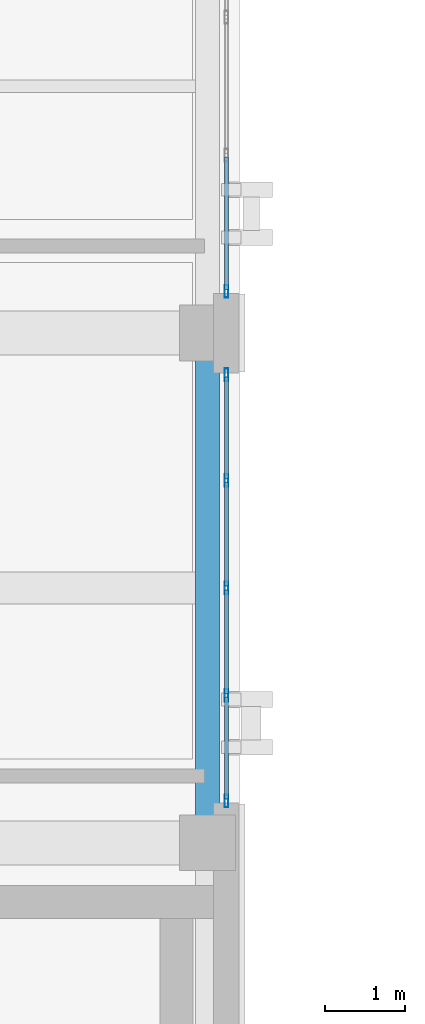
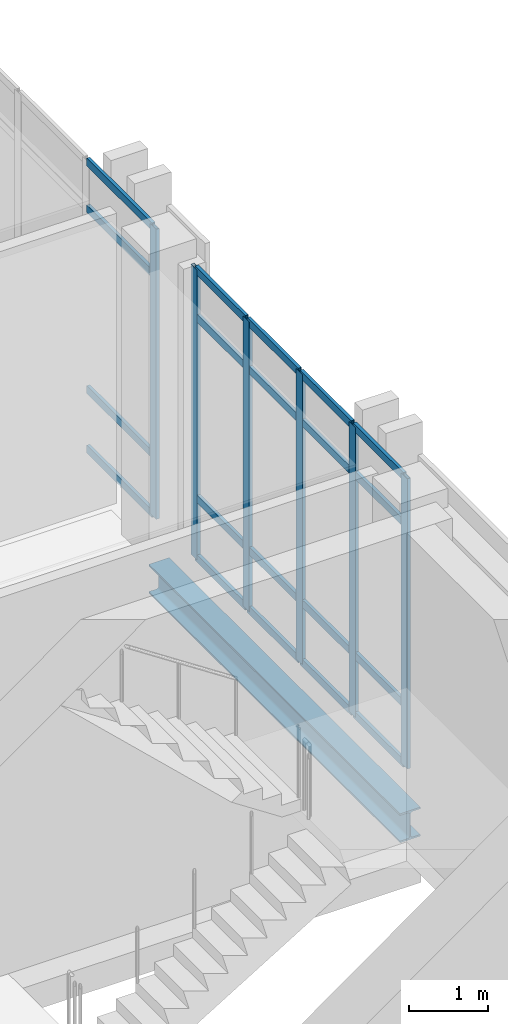
# One storey, part 107 of 189: 26 members, 1 beam, 2 elements without a shape of their own.
"""IFC4 building model written with IfcOpenShell, lengths in metres."""

from ifc_helpers import new_model, si_unit, direction, frame, origin, origin_2d, place, context, subcontext, project, spatial, hollow_rectangle, i_section, extrude, material, layer, layer_set, material_profile, profile_set, type_object, element, aggregate, save


model = new_model("IFC4")

# Units and contexts
model_context = context("Model", 3, precision=1e-05, world=origin(), true_north=direction((0.0, 1.0)))
body_context = subcontext(model_context, "Body", "Model", "MODEL_VIEW")
ifc_project = project(units=[si_unit("LENGTHUNIT", "METRE"), si_unit("AREAUNIT", "SQUARE_METRE"), si_unit("VOLUMEUNIT", "CUBIC_METRE"), si_unit("PLANEANGLEUNIT", "RADIAN"), si_unit("MASSUNIT", "GRAM", prefix="KILO")], contexts=[model_context])

# Site, building, storey
site_placement = place(None, origin())
site = spatial("IfcSite", under=ifc_project, at=site_placement, CompositionType="ELEMENT")
building_placement = place(site_placement, origin())
building = spatial("IfcBuilding", under=site, at=building_placement, Name="Qalavern Law Courts", CompositionType="ELEMENT")
storey_placement = place(building_placement, frame((0.0, 0.0, 5.39990234375)))
storey = spatial("IfcBuildingStorey", under=building, at=storey_placement, Name="L01", CompositionType="ELEMENT", Elevation=5.39990234375)

# Curtain wall, members
ifc_material_1 = material(Name="Anodised aluminium and insulated glazing", Category="aluminium")
ifc_layer = layer(ifc_material_1, 0.172119140625)
ifc_layer_set = layer_set([ifc_layer], Name="Anodised aluminium and insulated glazing")
curtain_wall_type = type_object("IfcCurtainWallType", Name="ENV-CW-COURT", PredefinedType="USERDEFINED", material=ifc_layer_set)
curtain_wall_1_placement = place(storey_placement, origin())
curtain_wall_1 = element("IfcCurtainWall", 1, at=curtain_wall_1_placement, inside=storey, type_object=curtain_wall_type, Name="V4 unitised curtain wall L01 east 4", ObjectType="UNITISED CURTAIN WALL", PredefinedType="USERDEFINED")
ifc_material_2 = material(Name="Anodised aluminium", Category="aluminium")
ifc_material_profile_1 = material_profile(ifc_material_2, hollow_rectangle(XDim=0.048095703125, YDim=0.159912109375, WallThickness=0.00390625, at=origin_2d()), Name="ALU MULLION 48x160")
ifc_profile_set_1 = profile_set([ifc_material_profile_1], Name="Anodised aluminium")
member_type_1 = type_object("IfcMemberType", Name="ENV-CWM-48x160", PredefinedType="MULLION", material=ifc_profile_set_1)
member_1_placement = place(storey_placement, frame((106.637451171875, 73.323974609375, 0.0), z_axis=(0.0, 0.0, 1.0), x_axis=(-1.0, 0.0, 0.0)))
member_1 = element("IfcMember", 2, at=member_1_placement, type_object=member_type_1, Name="CW-03 mullion 1", PredefinedType="MULLION", context=body_context, shape_type="SweptSolid", body=[
    extrude(hollow_rectangle(XDim=0.048095703125, YDim=0.159912109375, WallThickness=0.00390625, at=origin_2d()), origin(), (0.0, 0.0, 1.0), 4.510009765625),
])
member_2_placement = place(storey_placement, frame((106.637451171875, 74.64990234375, 0.0), z_axis=(0.0, 0.0, 1.0), x_axis=(-1.0, 0.0, 0.0)))
member_2 = element("IfcMember", 3, at=member_2_placement, type_object=member_type_1, Name="CW-03 mullion 2", PredefinedType="MULLION", context=body_context, shape_type="SweptSolid", body=[
    extrude(hollow_rectangle(XDim=0.048095703125, YDim=0.159912109375, WallThickness=0.00390625, at=origin_2d()), origin(), (0.0, 0.0, 1.0), 4.510009765625),
])
member_3_placement = place(storey_placement, frame((106.637451171875, 76.0, 0.0), z_axis=(0.0, 0.0, 1.0), x_axis=(-1.0, 0.0, 0.0)))
member_3 = element("IfcMember", 4, at=member_3_placement, type_object=member_type_1, Name="CW-03 mullion 3", PredefinedType="MULLION", context=body_context, shape_type="SweptSolid", body=[
    extrude(hollow_rectangle(XDim=0.048095703125, YDim=0.159912109375, WallThickness=0.00390625, at=origin_2d()), origin(), (0.0, 0.0, 1.0), 4.510009765625),
])
member_4_placement = place(storey_placement, frame((106.637451171875, 77.35009765625, 0.0), z_axis=(0.0, 0.0, 1.0), x_axis=(-1.0, 0.0, 0.0)))
member_4 = element("IfcMember", 5, at=member_4_placement, type_object=member_type_1, Name="CW-03 mullion 4", PredefinedType="MULLION", context=body_context, shape_type="SweptSolid", body=[
    extrude(hollow_rectangle(XDim=0.048095703125, YDim=0.159912109375, WallThickness=0.00390625, at=origin_2d()), origin(), (0.0, 0.0, 1.0), 4.510009765625),
])
member_5_placement = place(storey_placement, frame((106.637451171875, 78.676025390625, 0.0), z_axis=(0.0, 0.0, 1.0), x_axis=(-1.0, 0.0, 0.0)))
member_5 = element("IfcMember", 6, at=member_5_placement, type_object=member_type_1, Name="CW-03 mullion 5", PredefinedType="MULLION", context=body_context, shape_type="SweptSolid", body=[
    extrude(hollow_rectangle(XDim=0.048095703125, YDim=0.159912109375, WallThickness=0.00390625, at=origin_2d()), origin(), (0.0, 0.0, 1.0), 4.510009765625),
])

# Curtain wall, member
curtain_wall_2_placement = place(storey_placement, origin())
curtain_wall_2 = element("IfcCurtainWall", 7, at=curtain_wall_2_placement, inside=storey, type_object=curtain_wall_type, Name="V4 unitised curtain wall L01 east 5", ObjectType="UNITISED CURTAIN WALL", PredefinedType="USERDEFINED")
member_6_placement = place(storey_placement, frame((106.637451171875, 79.72412109375, 0.0), z_axis=(0.0, 0.0, 1.0), x_axis=(-1.0, 0.0, 0.0)))
member_6 = element("IfcMember", 8, at=member_6_placement, type_object=member_type_1, Name="CW-03 mullion 1", PredefinedType="MULLION", context=body_context, shape_type="SweptSolid", body=[
    extrude(hollow_rectangle(XDim=0.048095703125, YDim=0.159912109375, WallThickness=0.00390625, at=origin_2d()), origin(), (0.0, 0.0, 1.0), 4.510009765625),
])

# Member
ifc_material_profile_2 = material_profile(ifc_material_2, hollow_rectangle(XDim=0.048095703125, YDim=0.1201171875, WallThickness=0.00390625, at=origin_2d()), Name="ALU TRANSOM 48x120")
ifc_profile_set_2 = profile_set([ifc_material_profile_2], Name="Anodised aluminium")
member_type_2 = type_object("IfcMemberType", Name="ENV-CWT-48x120", PredefinedType="USERDEFINED", material=ifc_profile_set_2)
member_7_placement = place(storey_placement, frame((106.637451171875, 73.347900390625, 0.024169921875), z_axis=(0.0, 1.0, 0.0), x_axis=(-1.0, 0.0, 0.0)))
member_7 = element("IfcMember", 9, at=member_7_placement, type_object=member_type_2, Name="CW-03 transom 1.1", ObjectType="TRANSOM", PredefinedType="USERDEFINED", context=body_context, shape_type="SweptSolid", body=[
    extrude(hollow_rectangle(XDim=0.048095703125, YDim=0.1201171875, WallThickness=0.00390625, at=origin_2d()), origin(), (0.0, 0.0, 1.0), 1.278076171875),
])

member_8_placement = place(storey_placement, frame((106.637451171875, 73.347900390625, 0.9501953125), z_axis=(0.0, 1.0, 0.0), x_axis=(-1.0, 0.0, 0.0)))
member_8 = element("IfcMember", 10, at=member_8_placement, type_object=member_type_2, Name="CW-03 transom 1.2", ObjectType="TRANSOM", PredefinedType="USERDEFINED", context=body_context, shape_type="SweptSolid", body=[
    extrude(hollow_rectangle(XDim=0.048095703125, YDim=0.1201171875, WallThickness=0.00390625, at=origin_2d()), origin(), (0.0, 0.0, 1.0), 1.278076171875),
])

member_9_placement = place(storey_placement, frame((106.637451171875, 73.347900390625, 3.760009765625), z_axis=(0.0, 1.0, 0.0), x_axis=(-1.0, 0.0, 0.0)))
member_9 = element("IfcMember", 11, at=member_9_placement, type_object=member_type_2, Name="CW-03 transom 1.3", ObjectType="TRANSOM", PredefinedType="USERDEFINED", context=body_context, shape_type="SweptSolid", body=[
    extrude(hollow_rectangle(XDim=0.048095703125, YDim=0.1201171875, WallThickness=0.00390625, at=origin_2d()), origin(), (0.0, 0.0, 1.0), 1.278076171875),
])

member_10_placement = place(storey_placement, frame((106.637451171875, 73.347900390625, 4.486083984375), z_axis=(0.0, 1.0, 0.0), x_axis=(-1.0, 0.0, 0.0)))
member_10 = element("IfcMember", 12, at=member_10_placement, type_object=member_type_2, Name="CW-03 transom 1.4", ObjectType="TRANSOM", PredefinedType="USERDEFINED", context=body_context, shape_type="SweptSolid", body=[
    extrude(hollow_rectangle(XDim=0.048095703125, YDim=0.1201171875, WallThickness=0.00390625, at=origin_2d()), origin(), (0.0, 0.0, 1.0), 1.278076171875),
])

member_11_placement = place(storey_placement, frame((106.637451171875, 74.674072265625, 0.024169921875), z_axis=(0.0, 1.0, 0.0), x_axis=(-1.0, 0.0, 0.0)))
member_11 = element("IfcMember", 13, at=member_11_placement, type_object=member_type_2, Name="CW-03 transom 2.1", ObjectType="TRANSOM", PredefinedType="USERDEFINED", context=body_context, shape_type="SweptSolid", body=[
    extrude(hollow_rectangle(XDim=0.048095703125, YDim=0.1201171875, WallThickness=0.00390625, at=origin_2d()), origin(), (0.0, 0.0, 1.0), 1.302001953125),
])

member_12_placement = place(storey_placement, frame((106.637451171875, 74.674072265625, 0.9501953125), z_axis=(0.0, 1.0, 0.0), x_axis=(-1.0, 0.0, 0.0)))
member_12 = element("IfcMember", 14, at=member_12_placement, type_object=member_type_2, Name="CW-03 transom 2.2", ObjectType="TRANSOM", PredefinedType="USERDEFINED", context=body_context, shape_type="SweptSolid", body=[
    extrude(hollow_rectangle(XDim=0.048095703125, YDim=0.1201171875, WallThickness=0.00390625, at=origin_2d()), origin(), (0.0, 0.0, 1.0), 1.302001953125),
])

member_13_placement = place(storey_placement, frame((106.637451171875, 74.674072265625, 3.760009765625), z_axis=(0.0, 1.0, 0.0), x_axis=(-1.0, 0.0, 0.0)))
member_13 = element("IfcMember", 15, at=member_13_placement, type_object=member_type_2, Name="CW-03 transom 2.3", ObjectType="TRANSOM", PredefinedType="USERDEFINED", context=body_context, shape_type="SweptSolid", body=[
    extrude(hollow_rectangle(XDim=0.048095703125, YDim=0.1201171875, WallThickness=0.00390625, at=origin_2d()), origin(), (0.0, 0.0, 1.0), 1.302001953125),
])

member_14_placement = place(storey_placement, frame((106.637451171875, 74.674072265625, 4.486083984375), z_axis=(0.0, 1.0, 0.0), x_axis=(-1.0, 0.0, 0.0)))
member_14 = element("IfcMember", 16, at=member_14_placement, type_object=member_type_2, Name="CW-03 transom 2.4", ObjectType="TRANSOM", PredefinedType="USERDEFINED", context=body_context, shape_type="SweptSolid", body=[
    extrude(hollow_rectangle(XDim=0.048095703125, YDim=0.1201171875, WallThickness=0.00390625, at=origin_2d()), origin(), (0.0, 0.0, 1.0), 1.302001953125),
])

member_15_placement = place(storey_placement, frame((106.637451171875, 76.02392578125, 0.024169921875), z_axis=(0.0, 1.0, 0.0), x_axis=(-1.0, 0.0, 0.0)))
member_15 = element("IfcMember", 17, at=member_15_placement, type_object=member_type_2, Name="CW-03 transom 3.1", ObjectType="TRANSOM", PredefinedType="USERDEFINED", context=body_context, shape_type="SweptSolid", body=[
    extrude(hollow_rectangle(XDim=0.048095703125, YDim=0.1201171875, WallThickness=0.00390625, at=origin_2d()), origin(), (0.0, 0.0, 1.0), 1.302001953125),
])

member_16_placement = place(storey_placement, frame((106.637451171875, 76.02392578125, 0.9501953125), z_axis=(0.0, 1.0, 0.0), x_axis=(-1.0, 0.0, 0.0)))
member_16 = element("IfcMember", 18, at=member_16_placement, type_object=member_type_2, Name="CW-03 transom 3.2", ObjectType="TRANSOM", PredefinedType="USERDEFINED", context=body_context, shape_type="SweptSolid", body=[
    extrude(hollow_rectangle(XDim=0.048095703125, YDim=0.1201171875, WallThickness=0.00390625, at=origin_2d()), origin(), (0.0, 0.0, 1.0), 1.302001953125),
])

member_17_placement = place(storey_placement, frame((106.637451171875, 76.02392578125, 3.760009765625), z_axis=(0.0, 1.0, 0.0), x_axis=(-1.0, 0.0, 0.0)))
member_17 = element("IfcMember", 19, at=member_17_placement, type_object=member_type_2, Name="CW-03 transom 3.3", ObjectType="TRANSOM", PredefinedType="USERDEFINED", context=body_context, shape_type="SweptSolid", body=[
    extrude(hollow_rectangle(XDim=0.048095703125, YDim=0.1201171875, WallThickness=0.00390625, at=origin_2d()), origin(), (0.0, 0.0, 1.0), 1.302001953125),
])

member_18_placement = place(storey_placement, frame((106.637451171875, 76.02392578125, 4.486083984375), z_axis=(0.0, 1.0, 0.0), x_axis=(-1.0, 0.0, 0.0)))
member_18 = element("IfcMember", 20, at=member_18_placement, type_object=member_type_2, Name="CW-03 transom 3.4", ObjectType="TRANSOM", PredefinedType="USERDEFINED", context=body_context, shape_type="SweptSolid", body=[
    extrude(hollow_rectangle(XDim=0.048095703125, YDim=0.1201171875, WallThickness=0.00390625, at=origin_2d()), origin(), (0.0, 0.0, 1.0), 1.302001953125),
])

member_19_placement = place(storey_placement, frame((106.637451171875, 77.3740234375, 0.024169921875), z_axis=(0.0, 1.0, 0.0), x_axis=(-1.0, 0.0, 0.0)))
member_19 = element("IfcMember", 21, at=member_19_placement, type_object=member_type_2, Name="CW-03 transom 4.1", ObjectType="TRANSOM", PredefinedType="USERDEFINED", context=body_context, shape_type="SweptSolid", body=[
    extrude(hollow_rectangle(XDim=0.048095703125, YDim=0.1201171875, WallThickness=0.00390625, at=origin_2d()), origin(), (0.0, 0.0, 1.0), 1.278076171875),
])

member_20_placement = place(storey_placement, frame((106.637451171875, 77.3740234375, 0.9501953125), z_axis=(0.0, 1.0, 0.0), x_axis=(-1.0, 0.0, 0.0)))
member_20 = element("IfcMember", 22, at=member_20_placement, type_object=member_type_2, Name="CW-03 transom 4.2", ObjectType="TRANSOM", PredefinedType="USERDEFINED", context=body_context, shape_type="SweptSolid", body=[
    extrude(hollow_rectangle(XDim=0.048095703125, YDim=0.1201171875, WallThickness=0.00390625, at=origin_2d()), origin(), (0.0, 0.0, 1.0), 1.278076171875),
])

member_21_placement = place(storey_placement, frame((106.637451171875, 77.3740234375, 3.760009765625), z_axis=(0.0, 1.0, 0.0), x_axis=(-1.0, 0.0, 0.0)))
member_21 = element("IfcMember", 23, at=member_21_placement, type_object=member_type_2, Name="CW-03 transom 4.3", ObjectType="TRANSOM", PredefinedType="USERDEFINED", context=body_context, shape_type="SweptSolid", body=[
    extrude(hollow_rectangle(XDim=0.048095703125, YDim=0.1201171875, WallThickness=0.00390625, at=origin_2d()), origin(), (0.0, 0.0, 1.0), 1.278076171875),
])

member_22_placement = place(storey_placement, frame((106.637451171875, 77.3740234375, 4.486083984375), z_axis=(0.0, 1.0, 0.0), x_axis=(-1.0, 0.0, 0.0)))
member_22 = element("IfcMember", 24, at=member_22_placement, type_object=member_type_2, Name="CW-03 transom 4.4", ObjectType="TRANSOM", PredefinedType="USERDEFINED", context=body_context, shape_type="SweptSolid", body=[
    extrude(hollow_rectangle(XDim=0.048095703125, YDim=0.1201171875, WallThickness=0.00390625, at=origin_2d()), origin(), (0.0, 0.0, 1.0), 1.278076171875),
])

aggregate(curtain_wall_1, [member_1, member_2, member_3, member_4, member_5, member_7, member_8, member_9, member_10, member_11, member_12, member_13, member_14, member_15, member_16, member_17, member_18, member_19, member_20, member_21, member_22])

member_23_placement = place(storey_placement, frame((106.637451171875, 79.748046875, 0.024169921875), z_axis=(0.0, 1.0, 0.0), x_axis=(-1.0, 0.0, 0.0)))
member_23 = element("IfcMember", 25, at=member_23_placement, type_object=member_type_2, Name="CW-03 transom 1.1", ObjectType="TRANSOM", PredefinedType="USERDEFINED", context=body_context, shape_type="SweptSolid", body=[
    extrude(hollow_rectangle(XDim=0.048095703125, YDim=0.1201171875, WallThickness=0.00390625, at=origin_2d()), origin(), (0.0, 0.0, 1.0), 1.661376953125),
])

member_24_placement = place(storey_placement, frame((106.637451171875, 79.748046875, 0.9501953125), z_axis=(0.0, 1.0, 0.0), x_axis=(-1.0, 0.0, 0.0)))
member_24 = element("IfcMember", 26, at=member_24_placement, type_object=member_type_2, Name="CW-03 transom 1.2", ObjectType="TRANSOM", PredefinedType="USERDEFINED", context=body_context, shape_type="SweptSolid", body=[
    extrude(hollow_rectangle(XDim=0.048095703125, YDim=0.1201171875, WallThickness=0.00390625, at=origin_2d()), origin(), (0.0, 0.0, 1.0), 1.661376953125),
])

member_25_placement = place(storey_placement, frame((106.637451171875, 79.748046875, 3.760009765625), z_axis=(0.0, 1.0, 0.0), x_axis=(-1.0, 0.0, 0.0)))
member_25 = element("IfcMember", 27, at=member_25_placement, type_object=member_type_2, Name="CW-03 transom 1.3", ObjectType="TRANSOM", PredefinedType="USERDEFINED", context=body_context, shape_type="SweptSolid", body=[
    extrude(hollow_rectangle(XDim=0.048095703125, YDim=0.1201171875, WallThickness=0.00390625, at=origin_2d()), origin(), (0.0, 0.0, 1.0), 1.661376953125),
])

member_26_placement = place(storey_placement, frame((106.637451171875, 79.748046875, 4.486083984375), z_axis=(0.0, 1.0, 0.0), x_axis=(-1.0, 0.0, 0.0)))
member_26 = element("IfcMember", 28, at=member_26_placement, type_object=member_type_2, Name="CW-03 transom 1.4", ObjectType="TRANSOM", PredefinedType="USERDEFINED", context=body_context, shape_type="SweptSolid", body=[
    extrude(hollow_rectangle(XDim=0.048095703125, YDim=0.1201171875, WallThickness=0.00390625, at=origin_2d()), origin(), (0.0, 0.0, 1.0), 1.661376953125),
])

aggregate(curtain_wall_2, [member_6, member_23, member_24, member_25, member_26])

# Beam
ifc_material_3 = material(Name="Steel S355", Category="steel")
ifc_material_profile_3 = material_profile(ifc_material_3, i_section(OverallWidth=0.300048828125, OverallDepth=0.449951171875, WebThickness=0.013916015625, FlangeThickness=0.02587890625, FilletRadius=0.027099609375, at=origin_2d()), Name="HEB 450")
ifc_profile_set_3 = profile_set([ifc_material_profile_3], Name="Steel S355")
beam_type = type_object("IfcBeamType", Name="STR-SP-HEB450", PredefinedType="SPANDREL", material=ifc_profile_set_3)
beam_placement = place(storey_placement, frame((106.39990234375, 72.800048828125, -0.52490234375), z_axis=(0.0, 1.0, 0.0), x_axis=(-1.0, 0.0, 0.0)))
element("IfcBeam", 29, at=beam_placement, inside=storey, type_object=beam_type, Name="V4 Y-beam 3-5 L01", PredefinedType="SPANDREL", context=body_context, shape_type="SweptSolid", body=[
    extrude(i_section(OverallWidth=0.300048828125, OverallDepth=0.449951171875, WebThickness=0.013916015625, FlangeThickness=0.02587890625, FilletRadius=0.027099609375, at=origin_2d()), origin(), (0.0, 0.0, 1.0), 6.39990234375),
])

save(model, "model.ifc")
